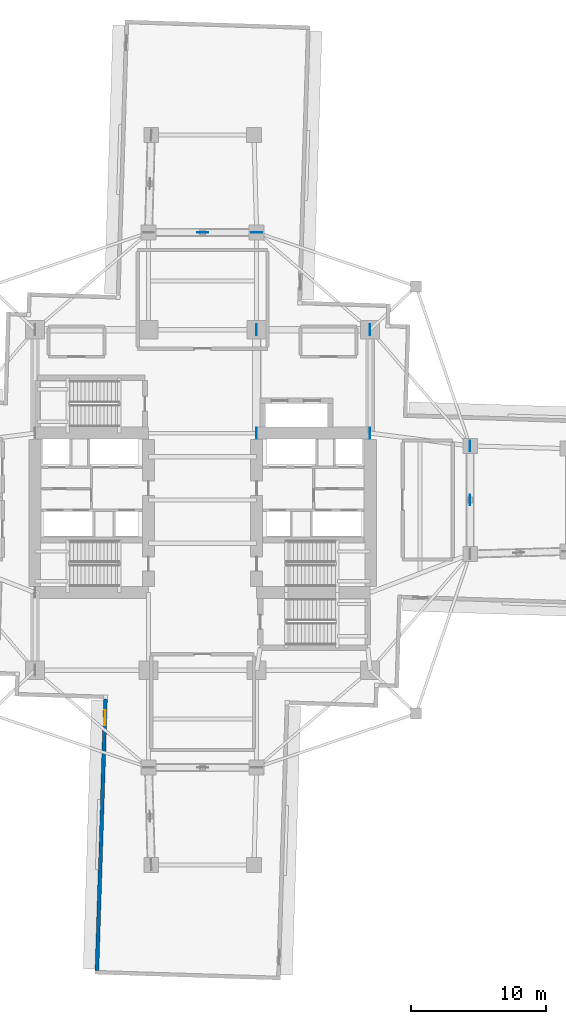
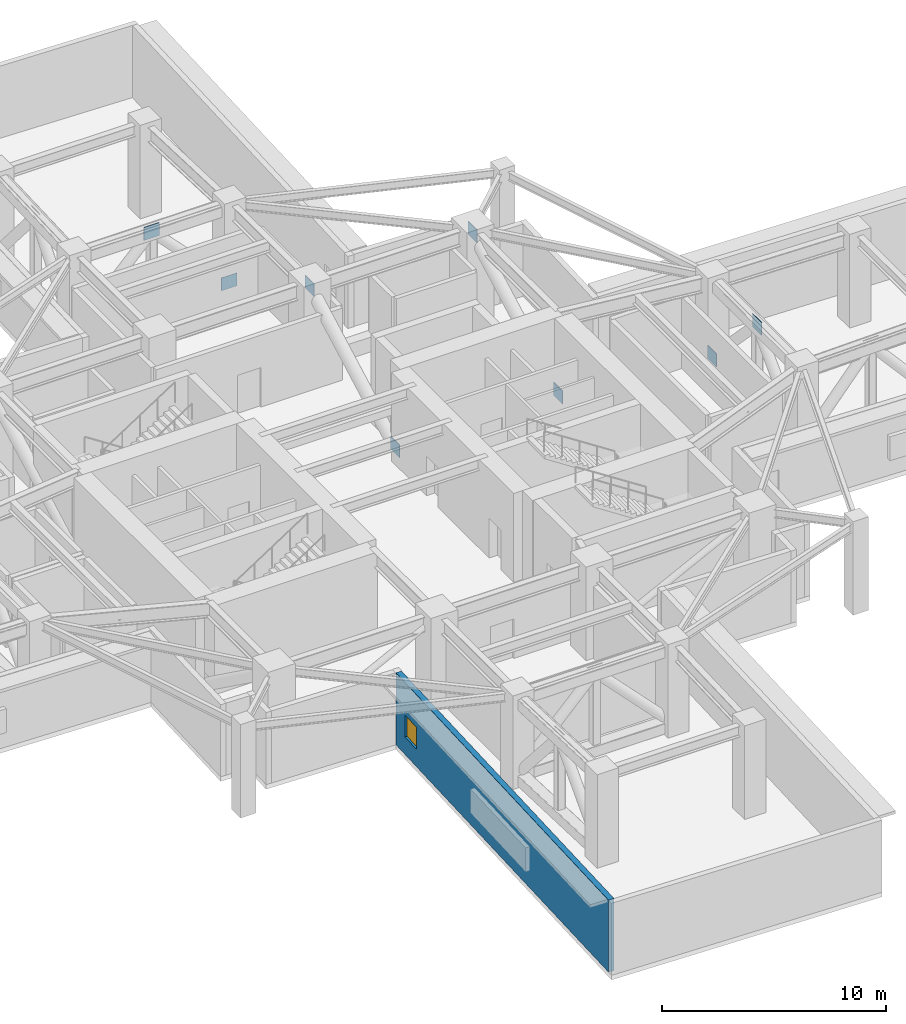
# One storey, part 8 of 17: 8 plates, 1 wall, 1 window, 1 opening.
"""IFC4 building model written with IfcOpenShell, lengths in metres."""

from ifc_helpers import new_model, si_unit, direction, frame, frame_2d, origin, origin_2d, place, context, subcontext, project, spatial, rectangle, extrude, material, layer, layer_set, type_object, element, fill, save


model = new_model("IFC4")

# Units and contexts
model_context = context("Model", 3, precision=1e-05, world=origin(), true_north=direction((0.0, 1.0)))
body_context = subcontext(model_context, "Body", "Model", "MODEL_VIEW")
ifc_project = project(units=[si_unit("LENGTHUNIT", "METRE"), si_unit("AREAUNIT", "SQUARE_METRE"), si_unit("VOLUMEUNIT", "CUBIC_METRE"), si_unit("PLANEANGLEUNIT", "RADIAN"), si_unit("MASSUNIT", "GRAM", prefix="KILO")], contexts=[model_context])

# Site, building, storey
site_placement = place(None, origin())
site = spatial("IfcSite", under=ifc_project, at=site_placement, CompositionType="ELEMENT")
building_placement = place(site_placement, origin())
building = spatial("IfcBuilding", under=site, at=building_placement, Name="Qingluan Cross Belvedere", CompositionType="ELEMENT")
storey_placement = place(building_placement, frame((0.0, 0.0, 95.10009765625)))
storey = spatial("IfcBuildingStorey", under=building, at=storey_placement, Name="L24", CompositionType="ELEMENT", Elevation=95.10009765625)

# Plates
ifc_material_1 = material(Name="Steel Q420GJB", Category="steel")
ifc_layer_1 = layer(ifc_material_1, 0.031982421875, Name="GussetPlate_32")
ifc_layer_set_1 = layer_set([ifc_layer_1], Name="Steel Q420GJB")
plate_type = type_object("IfcPlateType", Name="GussetPlate_32", PredefinedType="SHEET", material=ifc_layer_set_1)
for number, where, z_axis, x_axis, name in (
    (1, (19.800048828125, 0.0, 4.14990234375), (0.0, 0.0, 1.0), (0.0, 1.0, 0.0), "Belt truss gusset node plate L24-E-M"),
    (2, (19.800048828125, 4.0, 0.0), (0.0, 0.0, 1.0), (0.0, 1.0, 0.0), "Belt truss gusset node plate L24-E-B"),
    (3, (0.0, 19.800048828125, 4.14990234375), (0.0, 0.0, 1.0), (1.0, 0.0, 0.0), "Belt truss gusset node plate L24-N-M"),
    (4, (4.0, 19.800048828125, 0.0), (0.0, 0.0, 1.0), (1.0, 0.0, 0.0), "Belt truss gusset node plate L24-N-B"),
    (5, (12.39990234375, 4.949951171875, 0.0), (0.0, 0.0, 1.0), (0.0, 1.0, 0.0), "Outrigger end connection plate L24-OEN-BOT"),
    (6, (12.39990234375, 12.60009765625, 4.14990234375), (0.0, 0.0, 1.0), (0.0, 1.0, 0.0), "Outrigger end connection plate L24-OEN-TOP"),
    (7, (4.0, 4.949951171875, 0.0), (0.0, 0.0, 1.0), (0.0, 1.0, 0.0), "Outrigger end connection plate L24-OCE-BOT"),
    (8, (4.0, 12.60009765625, 4.14990234375), (0.0, 0.0, 1.0), (0.0, 1.0, 0.0), "Outrigger end connection plate L24-OCE-TOP"),
):
    element("IfcPlate", number, at=place(storey_placement, frame(where, z_axis=z_axis, x_axis=x_axis)), inside=storey, type_object=plate_type, Name=name, PredefinedType="SHEET", context=body_context, shape_type="SweptSolid", body=[
        extrude(rectangle(XDim=0.800048828125, YDim=0.031982421875, at=origin_2d()), origin(), (0.0, 0.0, 1.0), 0.699951171875),
    ])

# Wall, opening, window
ifc_material_2 = material(Name="Precast concrete C45", Category="concrete")
ifc_layer_2 = layer(ifc_material_2, 0.280029296875, Name="PrecastFacadeWall_280")
ifc_layer_set_2 = layer_set([ifc_layer_2], Name="Precast concrete C45")
wall_type = type_object("IfcWallType", Name="PrecastFacadeWall_280", PredefinedType="STANDARD", material=ifc_layer_set_2)
wall_placement = place(storey_placement, frame((-7.18603515625, -14.721435546875, 0.0), z_axis=(0.0, 0.0, 1.0), x_axis=(-0.031410322165, -0.999506574096, 0.0)))
wall = element("IfcWall", 9, at=wall_placement, inside=storey, type_object=wall_type, Name="Facade wall L24-SA", PredefinedType="STANDARD", context=body_context, shape_type="SweptSolid", body=[
    extrude(rectangle(XDim=20.10009765625, YDim=0.280029296875, at=frame_2d((10.050048828125, 0.0))), origin(), (0.0, 0.0, 1.0), 3.929931640625),
])
opening_placement = place(wall_placement, frame((0.85009765625, 0.0, 0.949951171875)))
opening = element("IfcOpeningElement", 10, at=opening_placement, cuts=wall, Name="Opening W-07", PredefinedType="OPENING", context=body_context, shape_type="SweptSolid", body=[
    extrude(rectangle(XDim=1.10009765625, YDim=1.199951171875, at=frame_2d((0.550048828125, 0.60009765625))), frame((0.0, 0.14990234375, 0.0), z_axis=(0.0, -1.0, 0.0), x_axis=(1.0, 0.0, 0.0)), (0.0, 0.0, 1.0), 0.300048828125),
])
ifc_material_3 = material(Name="Thermally broken triple Low-E glass in aluminium frame", Category="aluminium")
window_type = type_object("IfcWindowType", Name="RefugeSmokeWin_1100x1200", PartitioningType="SINGLE_PANEL", PredefinedType="WINDOW", material=ifc_material_3)
window_placement = place(opening_placement, origin())
window = element("IfcWindow", 11, at=window_placement, inside=storey, type_object=window_type, Name="Refuge operable smoke window L24-SA", OverallHeight=1.199951171875, OverallWidth=1.10009765625, PartitioningType="SINGLE_PANEL", PredefinedType="WINDOW", context=body_context, shape_type="SweptSolid", body=[
    extrude(rectangle(XDim=1.10009765625, YDim=1.199951171875, at=frame_2d((0.550048828125, 0.60009765625))), frame((0.0, 0.030029296875, 0.0), z_axis=(0.0, -1.0, 0.0), x_axis=(1.0, 0.0, 0.0)), (0.0, 0.0, 1.0), 0.06005859375),
])
fill(opening, window)

save(model, "model.ifc")
